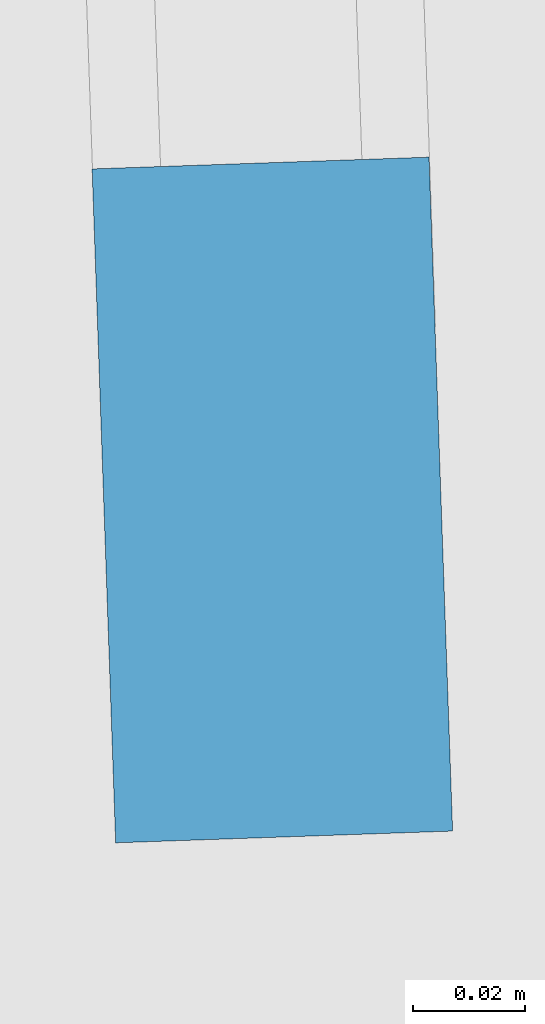
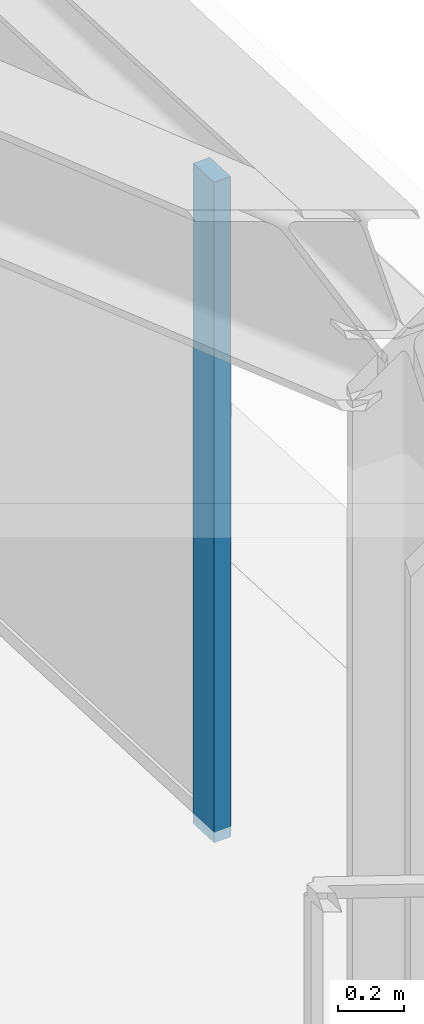
# One storey, part 6 of 13: 1 member, 1 element without a shape of its own.
"""IFC4 building model written with IfcOpenShell, lengths in metres."""

import ifcopenshell
import ifcopenshell.guid

model = None  # the IFC model being written
_history = None  # IfcOwnerHistory: only IFC2X3 demands one
_inside = {}  # id of a spatial element -> (the spatial element, [elements in it])
_under = {}  # id of a project, library or spatial element -> (it, [spatial elements below it])
_declared = {}  # id of a project -> (the project, [libraries it declares])
_typed = {}  # id of a type object -> (the type object, [elements of that type])
_made_of = {}  # id of a material, layer set ... -> (it, [elements and type objects made of it])


def new_model(schema):
    """Start an empty IFC model of exactly this schema.

    Asked for "IFC4X3", IfcOpenShell would pick the latest addendum, in which some entities
    have other attributes; the version numbers below select the first issue.
    IFC2X3 requires an IfcOwnerHistory on every rooted entity: one is made here for all.
    """
    global model, _history
    if schema == "IFC4X3":
        model = ifcopenshell.file(schema_version=(4, 3, 0, 0))
    else:
        model = ifcopenshell.file(schema=schema)
    _inside.clear()
    _under.clear()
    _declared.clear()
    _typed.clear()
    _made_of.clear()
    _history = None
    if model.schema == "IFC2X3":
        org = make("IfcOrganization", Name="unknown")
        user = make(
            "IfcPersonAndOrganization",
            ThePerson=make("IfcPerson", FamilyName="unknown"),
            TheOrganization=org,
        )
        app = make(
            "IfcApplication",
            ApplicationDeveloper=org,
            Version="unknown",
            ApplicationFullName="unknown",
            ApplicationIdentifier="unknown",
        )
        _history = make(
            "IfcOwnerHistory",
            OwningUser=user,
            OwningApplication=app,
            ChangeAction="ADDED",
            CreationDate=0,
        )
    return model


def make(cls, **values):
    """One entity of the class cls with the attributes given. An attribute that is None is left unset."""
    return model.create_entity(
        cls, **{name: value for name, value in values.items() if value is not None}
    )


def rooted(cls, **values):
    """An entity with a GlobalId (a new one), such as an element, a storey or a relation."""
    return make(cls, GlobalId=ifcopenshell.guid.new(), OwnerHistory=_history, **values)


def si_unit(unit_type, name, prefix=None):
    """IfcSIUnit, for example si_unit("LENGTHUNIT", "METRE", prefix="MILLI")."""
    return make("IfcSIUnit", UnitType=unit_type, Prefix=prefix, Name=name)


def assignment(units):
    """IfcUnitAssignment: the units of a project."""
    return None if units is None else make("IfcUnitAssignment", Units=units)


def point(xyz):
    """IfcCartesianPoint."""
    return None if xyz is None else make("IfcCartesianPoint", Coordinates=xyz)


def direction(xyz):
    """IfcDirection."""
    return None if xyz is None else make("IfcDirection", DirectionRatios=xyz)


def frame(location, z_axis=None, x_axis=None):
    """IfcAxis2Placement3D, a coordinate frame: its origin and axes. An axis left out is left unset."""
    return make(
        "IfcAxis2Placement3D",
        Location=point(location),
        Axis=direction(z_axis),
        RefDirection=direction(x_axis),
    )


def frame_2d(location, x_axis=None):
    """IfcAxis2Placement2D, a coordinate frame in the plane: its origin and x axis."""
    return make(
        "IfcAxis2Placement2D", Location=point(location), RefDirection=direction(x_axis)
    )


def origin():
    """The frame at (0, 0, 0) with its axes left unset."""
    return frame((0.0, 0.0, 0.0))


def origin_2d():
    """The frame at (0, 0) in the plane with its x axis left unset."""
    return frame_2d((0.0, 0.0))


def place(relative_to, where):
    """IfcLocalPlacement: puts the frame where relative to a parent placement (None: the world)."""
    return make(
        "IfcLocalPlacement", PlacementRelTo=relative_to, RelativePlacement=where
    )


def context(
    kind, dimensions, precision=None, world=None, true_north=None, identifier=None
):
    """IfcGeometricRepresentationContext, for example the 3D "Model" context."""
    return make(
        "IfcGeometricRepresentationContext",
        ContextIdentifier=identifier,
        ContextType=kind,
        CoordinateSpaceDimension=dimensions,
        Precision=precision,
        WorldCoordinateSystem=world,
        TrueNorth=true_north,
    )


def subcontext(parent, identifier, kind, view, scale=None):
    """IfcGeometricRepresentationSubContext, for example "Body" below "Model"."""
    return make(
        "IfcGeometricRepresentationSubContext",
        ContextIdentifier=identifier,
        ContextType=kind,
        ParentContext=parent,
        TargetScale=scale,
        TargetView=view,
    )


def project(units=None, contexts=None):
    """IfcProject with its units and contexts."""
    return rooted(
        "IfcProject",
        Name="project",
        RepresentationContexts=contexts,
        UnitsInContext=assignment(units),
    )


def spatial(cls, under=None, at=None, **own):
    """A site, building, storey or space (cls), placed at a placement, below another one or the project."""
    s = rooted(cls, ObjectPlacement=at, **own)
    if under is not None:
        _under.setdefault(under.id(), (under, []))[1].append(s)
    return s


def profile(cls, at=None, kind="AREA", **sizes):
    """A parametric profile (cls). Its sizes go by their IFC names, for example OverallWidth=200.0."""
    return make(cls, ProfileType=kind, Position=at, **sizes)


def rectangle(**sizes):
    """IfcRectangleProfileDef."""
    return profile("IfcRectangleProfileDef", **sizes)


def extrude(swept, where, along, depth):
    """IfcExtrudedAreaSolid: the profile swept, set in the frame where, extruded along a direction by depth."""
    return make(
        "IfcExtrudedAreaSolid",
        SweptArea=swept,
        Position=where,
        ExtrudedDirection=direction(along),
        Depth=depth,
    )


def shape(context_of_items, identifier, shape_type, items):
    """IfcShapeRepresentation: the items that make up one representation, for example the "Body"."""
    return make(
        "IfcShapeRepresentation",
        ContextOfItems=context_of_items,
        RepresentationIdentifier=identifier,
        RepresentationType=shape_type,
        Items=items,
    )


def material(Name=None, Category=None):
    """IfcMaterial."""
    return make("IfcMaterial", Name=Name, Category=Category)


def layer(
    of_material, thickness, ventilated=None, Name=None, Category=None, Priority=None
):
    """IfcMaterialLayer: one layer of a wall or slab, of a material (None: an air gap)."""
    return make(
        "IfcMaterialLayer",
        Material=of_material,
        LayerThickness=thickness,
        IsVentilated=ventilated,
        Name=Name,
        Category=Category,
        Priority=Priority,
    )


def layer_set(layers, Name=None):
    """IfcMaterialLayerSet."""
    return make("IfcMaterialLayerSet", MaterialLayers=layers, LayerSetName=Name)


def material_profile(
    of_material, cross_section, Name=None, Category=None, Priority=None
):
    """IfcMaterialProfile: a cross section and its material."""
    return make(
        "IfcMaterialProfile",
        Name=Name,
        Material=of_material,
        Profile=cross_section,
        Priority=Priority,
        Category=Category,
    )


def profile_set(profiles, Name=None, composite=None):
    """IfcMaterialProfileSet."""
    return make(
        "IfcMaterialProfileSet",
        Name=Name,
        MaterialProfiles=profiles,
        CompositeProfile=composite,
    )


def made_of(thing, what):
    """Note that an element or type object is made of a material, layer set ...; save() writes the relation."""
    if what is not None:
        _made_of.setdefault(what.id(), (what, []))[1].append(thing)
    return thing


def type_object(cls, material=None, **own):
    """A type object (cls), such as IfcWallType, which elements share."""
    return made_of(rooted(cls, **own), material)


def element(
    cls,
    number,
    at=None,
    inside=None,
    cuts=None,
    type_object=None,
    material=None,
    context=None,
    identifier="Body",
    shape_type=None,
    held_by="IfcProductDefinitionShape",
    body=None,
    shapes=None,
    **own,
):
    """One element of the class cls, such as IfcWall. Its Tag is "e" and its number.

    at: its placement. inside: the storey or other place that contains it. cuts: it is an
    opening in that element (IfcRelVoidsElement). A single representation is given by context,
    identifier, shape_type and body (its items); several are given by shapes. held_by: the class
    of the entity that holds the representations. save() writes the other relations.
    """
    e = rooted(cls, Tag="e%d" % number, ObjectPlacement=at, **own)
    if body is not None:
        shapes = [shape(context, identifier, shape_type, body)]
    if shapes is not None:
        e.Representation = make(held_by, Representations=shapes)
    if inside is not None:
        _inside.setdefault(inside.id(), (inside, []))[1].append(e)
    if cuts is not None:
        rooted(
            "IfcRelVoidsElement", RelatingBuildingElement=cuts, RelatedOpeningElement=e
        )
    if type_object is not None:
        _typed.setdefault(type_object.id(), (type_object, []))[1].append(e)
    return made_of(e, material)


def aggregate(whole, parts):
    """IfcRelAggregates: a whole, such as a stair, and the parts it consists of."""
    return rooted("IfcRelAggregates", RelatingObject=whole, RelatedObjects=parts)


def save(model, path):
    """Write the relations noted so far, then the file.

    IfcRelAggregates (storeys below a building ...), IfcRelContainedInSpatialStructure (elements
    in a storey), IfcRelDefinesByType, IfcRelAssociatesMaterial and IfcRelDeclares: one each for
    every whole, place, type object, material and project.
    """
    for whole, parts in _under.values():
        aggregate(whole, parts)
    for where, things in _inside.values():
        rooted(
            "IfcRelContainedInSpatialStructure",
            RelatedElements=things,
            RelatingStructure=where,
        )
    for kind, things in _typed.values():
        rooted("IfcRelDefinesByType", RelatedObjects=things, RelatingType=kind)
    for what, things in _made_of.values():
        rooted("IfcRelAssociatesMaterial", RelatedObjects=things, RelatingMaterial=what)
    for by, libraries in _declared.values():
        rooted("IfcRelDeclares", RelatingContext=by, RelatedDefinitions=libraries)
    model.write(path)


model = new_model("IFC4")

# Units and contexts
model_context = context("Model", 3, precision=1e-05, world=origin(), true_north=direction((0.0, 1.0)))
body_context = subcontext(model_context, "Body", "Model", "MODEL_VIEW")
ifc_project = project(units=[si_unit("LENGTHUNIT", "METRE"), si_unit("AREAUNIT", "SQUARE_METRE"), si_unit("VOLUMEUNIT", "CUBIC_METRE"), si_unit("PLANEANGLEUNIT", "RADIAN"), si_unit("MASSUNIT", "GRAM", prefix="KILO")], contexts=[model_context])

# Site, building, storey
site_placement = place(None, origin())
site = spatial("IfcSite", under=ifc_project, at=site_placement, CompositionType="ELEMENT")
building_placement = place(site_placement, origin())
building = spatial("IfcBuilding", under=site, at=building_placement, Name="Rocaltana Carrier Exchange", CompositionType="ELEMENT")
storey_placement = place(building_placement, frame((0.0, 0.0, 196.639892578125)))
storey = spatial("IfcBuildingStorey", under=building, at=storey_placement, Name="L62", CompositionType="ELEMENT", Elevation=196.639892578125)

# Curtain wall, member
ifc_material_1 = material(Name="Aluminium 6063-T6", Category="aluminium")
ifc_layer = layer(ifc_material_1, 0.1201171875)
ifc_layer_set = layer_set([ifc_layer], Name="Aluminium 6063-T6")
curtain_wall_type = type_object("IfcCurtainWallType", Name="High-Altitude Thermal Curtain Wall CW-05", PredefinedType="NOTDEFINED", material=ifc_layer_set)
curtain_wall_placement = place(storey_placement, origin())
curtain_wall = element("IfcCurtainWall", 1, at=curtain_wall_placement, inside=storey, type_object=curtain_wall_type, Name="L62 CW-05 Run CW-L62-F1S1", PredefinedType="NOTDEFINED")
ifc_material_2 = material(Name="Aluminium 6063-T6", Category="aluminium")
ifc_material_profile = material_profile(ifc_material_2, rectangle(XDim=0.06005859375, YDim=0.1201171875, at=origin_2d()), Name="AL-60X120")
ifc_profile_set = profile_set([ifc_material_profile], Name="Aluminium 6063-T6")
member_type = type_object("IfcMemberType", Name="CW-05 Mullion AL-60X120", PredefinedType="MULLION", material=ifc_profile_set)
member_placement = place(storey_placement, frame((11.421630859375, -15.480712890625, 0.0), z_axis=(0.0, 0.0, 1.0), x_axis=(-0.999390315991, -0.034914127567, 0.0)))
member = element("IfcMember", 2, at=member_placement, type_object=member_type, Name="CW-05 mullion 1", PredefinedType="MULLION", context=body_context, shape_type="SweptSolid", body=[
    extrude(rectangle(XDim=0.06005859375, YDim=0.1201171875, at=origin_2d()), origin(), (0.0, 0.0, 1.0), 2.447998046875),
])
aggregate(curtain_wall, [member])

save(model, "model.ifc")
